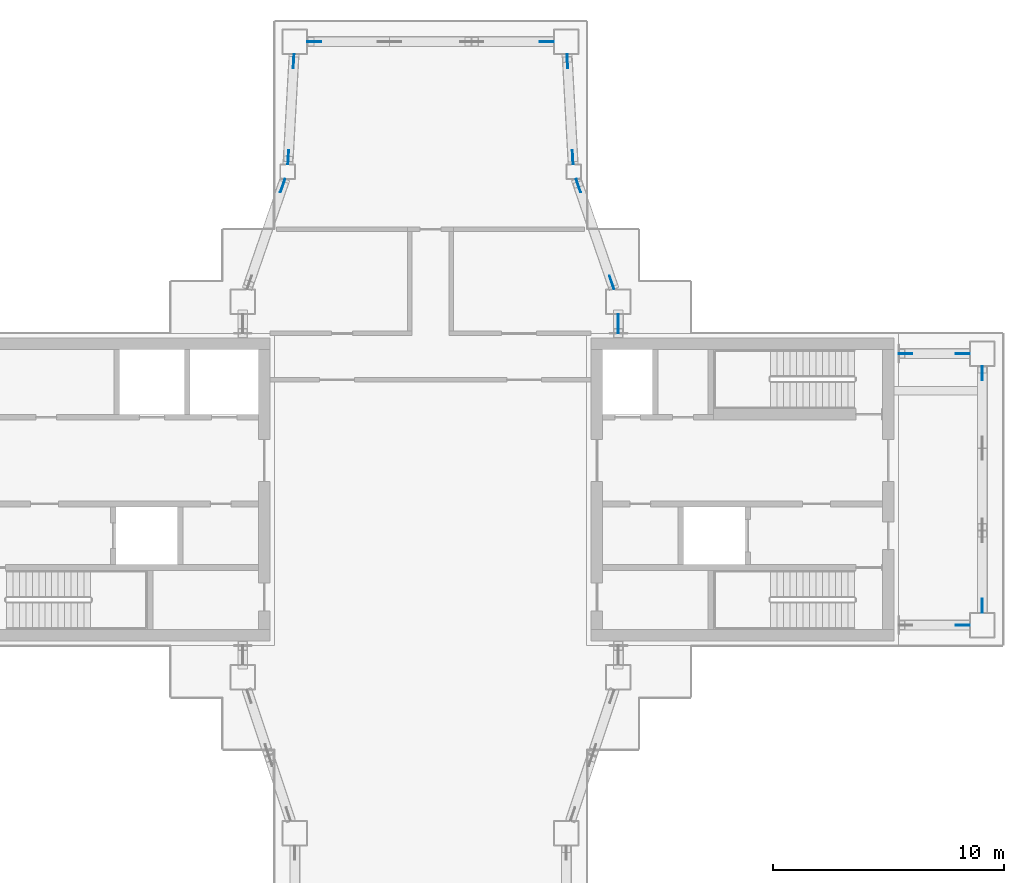
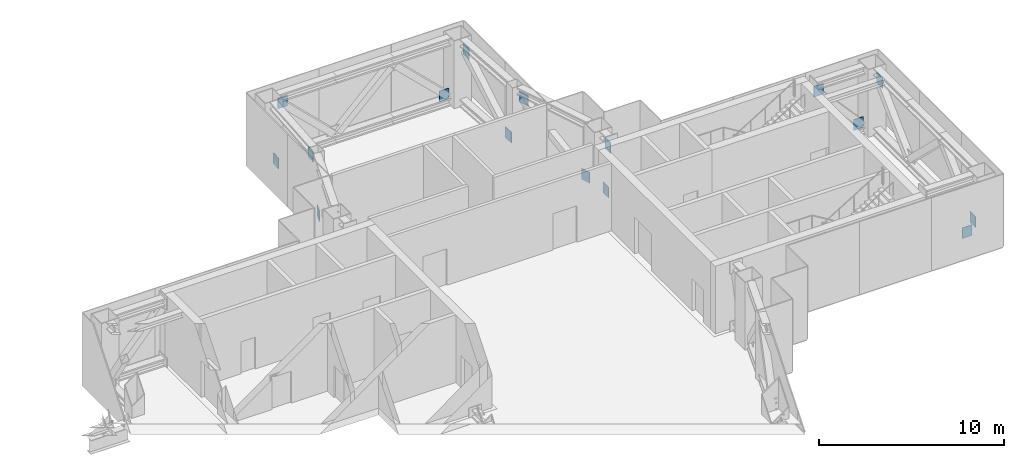
# One storey, part 19 of 21: 16 discrete accessories.
"""IFC4 building model written with IfcOpenShell, lengths in metres."""

import ifcopenshell
import ifcopenshell.guid

model = None  # the IFC model being written
_history = None  # IfcOwnerHistory: only IFC2X3 demands one
_inside = {}  # id of a spatial element -> (the spatial element, [elements in it])
_under = {}  # id of a project, library or spatial element -> (it, [spatial elements below it])
_declared = {}  # id of a project -> (the project, [libraries it declares])
_typed = {}  # id of a type object -> (the type object, [elements of that type])
_made_of = {}  # id of a material, layer set ... -> (it, [elements and type objects made of it])


def new_model(schema):
    """Start an empty IFC model of exactly this schema.

    Asked for "IFC4X3", IfcOpenShell would pick the latest addendum, in which some entities
    have other attributes; the version numbers below select the first issue.
    IFC2X3 requires an IfcOwnerHistory on every rooted entity: one is made here for all.
    """
    global model, _history
    if schema == "IFC4X3":
        model = ifcopenshell.file(schema_version=(4, 3, 0, 0))
    else:
        model = ifcopenshell.file(schema=schema)
    _inside.clear()
    _under.clear()
    _declared.clear()
    _typed.clear()
    _made_of.clear()
    _history = None
    if model.schema == "IFC2X3":
        org = make("IfcOrganization", Name="unknown")
        user = make(
            "IfcPersonAndOrganization",
            ThePerson=make("IfcPerson", FamilyName="unknown"),
            TheOrganization=org,
        )
        app = make(
            "IfcApplication",
            ApplicationDeveloper=org,
            Version="unknown",
            ApplicationFullName="unknown",
            ApplicationIdentifier="unknown",
        )
        _history = make(
            "IfcOwnerHistory",
            OwningUser=user,
            OwningApplication=app,
            ChangeAction="ADDED",
            CreationDate=0,
        )
    return model


def make(cls, **values):
    """One entity of the class cls with the attributes given. An attribute that is None is left unset."""
    return model.create_entity(
        cls, **{name: value for name, value in values.items() if value is not None}
    )


def rooted(cls, **values):
    """An entity with a GlobalId (a new one), such as an element, a storey or a relation."""
    return make(cls, GlobalId=ifcopenshell.guid.new(), OwnerHistory=_history, **values)


def si_unit(unit_type, name, prefix=None):
    """IfcSIUnit, for example si_unit("LENGTHUNIT", "METRE", prefix="MILLI")."""
    return make("IfcSIUnit", UnitType=unit_type, Prefix=prefix, Name=name)


def assignment(units):
    """IfcUnitAssignment: the units of a project."""
    return None if units is None else make("IfcUnitAssignment", Units=units)


def point(xyz):
    """IfcCartesianPoint."""
    return None if xyz is None else make("IfcCartesianPoint", Coordinates=xyz)


def direction(xyz):
    """IfcDirection."""
    return None if xyz is None else make("IfcDirection", DirectionRatios=xyz)


def frame(location, z_axis=None, x_axis=None):
    """IfcAxis2Placement3D, a coordinate frame: its origin and axes. An axis left out is left unset."""
    return make(
        "IfcAxis2Placement3D",
        Location=point(location),
        Axis=direction(z_axis),
        RefDirection=direction(x_axis),
    )


def frame_2d(location, x_axis=None):
    """IfcAxis2Placement2D, a coordinate frame in the plane: its origin and x axis."""
    return make(
        "IfcAxis2Placement2D", Location=point(location), RefDirection=direction(x_axis)
    )


def origin():
    """The frame at (0, 0, 0) with its axes left unset."""
    return frame((0.0, 0.0, 0.0))


def origin_2d():
    """The frame at (0, 0) in the plane with its x axis left unset."""
    return frame_2d((0.0, 0.0))


def place(relative_to, where):
    """IfcLocalPlacement: puts the frame where relative to a parent placement (None: the world)."""
    return make(
        "IfcLocalPlacement", PlacementRelTo=relative_to, RelativePlacement=where
    )


def context(
    kind, dimensions, precision=None, world=None, true_north=None, identifier=None
):
    """IfcGeometricRepresentationContext, for example the 3D "Model" context."""
    return make(
        "IfcGeometricRepresentationContext",
        ContextIdentifier=identifier,
        ContextType=kind,
        CoordinateSpaceDimension=dimensions,
        Precision=precision,
        WorldCoordinateSystem=world,
        TrueNorth=true_north,
    )


def subcontext(parent, identifier, kind, view, scale=None):
    """IfcGeometricRepresentationSubContext, for example "Body" below "Model"."""
    return make(
        "IfcGeometricRepresentationSubContext",
        ContextIdentifier=identifier,
        ContextType=kind,
        ParentContext=parent,
        TargetScale=scale,
        TargetView=view,
    )


def project(units=None, contexts=None):
    """IfcProject with its units and contexts."""
    return rooted(
        "IfcProject",
        Name="project",
        RepresentationContexts=contexts,
        UnitsInContext=assignment(units),
    )


def spatial(cls, under=None, at=None, **own):
    """A site, building, storey or space (cls), placed at a placement, below another one or the project."""
    s = rooted(cls, ObjectPlacement=at, **own)
    if under is not None:
        _under.setdefault(under.id(), (under, []))[1].append(s)
    return s


def profile(cls, at=None, kind="AREA", **sizes):
    """A parametric profile (cls). Its sizes go by their IFC names, for example OverallWidth=200.0."""
    return make(cls, ProfileType=kind, Position=at, **sizes)


def rectangle(**sizes):
    """IfcRectangleProfileDef."""
    return profile("IfcRectangleProfileDef", **sizes)


def extrude(swept, where, along, depth):
    """IfcExtrudedAreaSolid: the profile swept, set in the frame where, extruded along a direction by depth."""
    return make(
        "IfcExtrudedAreaSolid",
        SweptArea=swept,
        Position=where,
        ExtrudedDirection=direction(along),
        Depth=depth,
    )


def shape(context_of_items, identifier, shape_type, items):
    """IfcShapeRepresentation: the items that make up one representation, for example the "Body"."""
    return make(
        "IfcShapeRepresentation",
        ContextOfItems=context_of_items,
        RepresentationIdentifier=identifier,
        RepresentationType=shape_type,
        Items=items,
    )


def material(Name=None, Category=None):
    """IfcMaterial."""
    return make("IfcMaterial", Name=Name, Category=Category)


def layer(
    of_material, thickness, ventilated=None, Name=None, Category=None, Priority=None
):
    """IfcMaterialLayer: one layer of a wall or slab, of a material (None: an air gap)."""
    return make(
        "IfcMaterialLayer",
        Material=of_material,
        LayerThickness=thickness,
        IsVentilated=ventilated,
        Name=Name,
        Category=Category,
        Priority=Priority,
    )


def layer_set(layers, Name=None):
    """IfcMaterialLayerSet."""
    return make("IfcMaterialLayerSet", MaterialLayers=layers, LayerSetName=Name)


def made_of(thing, what):
    """Note that an element or type object is made of a material, layer set ...; save() writes the relation."""
    if what is not None:
        _made_of.setdefault(what.id(), (what, []))[1].append(thing)
    return thing


def type_object(cls, material=None, **own):
    """A type object (cls), such as IfcWallType, which elements share."""
    return made_of(rooted(cls, **own), material)


def element(
    cls,
    number,
    at=None,
    inside=None,
    cuts=None,
    type_object=None,
    material=None,
    context=None,
    identifier="Body",
    shape_type=None,
    held_by="IfcProductDefinitionShape",
    body=None,
    shapes=None,
    **own,
):
    """One element of the class cls, such as IfcWall. Its Tag is "e" and its number.

    at: its placement. inside: the storey or other place that contains it. cuts: it is an
    opening in that element (IfcRelVoidsElement). A single representation is given by context,
    identifier, shape_type and body (its items); several are given by shapes. held_by: the class
    of the entity that holds the representations. save() writes the other relations.
    """
    e = rooted(cls, Tag="e%d" % number, ObjectPlacement=at, **own)
    if body is not None:
        shapes = [shape(context, identifier, shape_type, body)]
    if shapes is not None:
        e.Representation = make(held_by, Representations=shapes)
    if inside is not None:
        _inside.setdefault(inside.id(), (inside, []))[1].append(e)
    if cuts is not None:
        rooted(
            "IfcRelVoidsElement", RelatingBuildingElement=cuts, RelatedOpeningElement=e
        )
    if type_object is not None:
        _typed.setdefault(type_object.id(), (type_object, []))[1].append(e)
    return made_of(e, material)


def aggregate(whole, parts):
    """IfcRelAggregates: a whole, such as a stair, and the parts it consists of."""
    return rooted("IfcRelAggregates", RelatingObject=whole, RelatedObjects=parts)


def save(model, path):
    """Write the relations noted so far, then the file.

    IfcRelAggregates (storeys below a building ...), IfcRelContainedInSpatialStructure (elements
    in a storey), IfcRelDefinesByType, IfcRelAssociatesMaterial and IfcRelDeclares: one each for
    every whole, place, type object, material and project.
    """
    for whole, parts in _under.values():
        aggregate(whole, parts)
    for where, things in _inside.values():
        rooted(
            "IfcRelContainedInSpatialStructure",
            RelatedElements=things,
            RelatingStructure=where,
        )
    for kind, things in _typed.values():
        rooted("IfcRelDefinesByType", RelatedObjects=things, RelatingType=kind)
    for what, things in _made_of.values():
        rooted("IfcRelAssociatesMaterial", RelatedObjects=things, RelatingMaterial=what)
    for by, libraries in _declared.values():
        rooted("IfcRelDeclares", RelatingContext=by, RelatedDefinitions=libraries)
    model.write(path)


model = new_model("IFC4")

# Units and contexts
model_context = context("Model", 3, precision=1e-05, world=origin(), true_north=direction((0.0, 1.0)))
body_context = subcontext(model_context, "Body", "Model", "MODEL_VIEW")
ifc_project = project(units=[si_unit("LENGTHUNIT", "METRE"), si_unit("AREAUNIT", "SQUARE_METRE"), si_unit("VOLUMEUNIT", "CUBIC_METRE"), si_unit("PLANEANGLEUNIT", "RADIAN"), si_unit("MASSUNIT", "GRAM", prefix="KILO")], contexts=[model_context])

# Site, building, storey
site_placement = place(None, origin())
site = spatial("IfcSite", under=ifc_project, at=site_placement, CompositionType="ELEMENT")
building_placement = place(site_placement, origin())
building = spatial("IfcBuilding", under=site, at=building_placement, Name="Shamsa Quay Exchange Towers", CompositionType="ELEMENT")
storey_placement = place(building_placement, frame((0.0, 0.0, 177.89990234375)))
storey = spatial("IfcBuildingStorey", under=building, at=storey_placement, Name="L42", CompositionType="ELEMENT", Elevation=177.89990234375)

# Discrete accessories
ifc_material = material(Name="Steel S355", Category="steel")
ifc_layer = layer(ifc_material, 0.0400390625)
ifc_layer_set = layer_set([ifc_layer], Name="End plate 600x700x40")
discrete_accessory_type = type_object("IfcDiscreteAccessoryType", Name="End plate 600x700x40", PredefinedType="BRACKET", material=ifc_layer_set)
for number, where, z_axis, x_axis, name in (
    (1, (56.77490234375, -5.875, 0.34814453125), (0.0, 0.0, 1.0), (-1.0, 0.0, 0.0), "End plate T2 L42"),
    (2, (57.625, -5.02490234375, 0.34814453125), (0.0, 0.0, 1.0), (0.0, 1.0, 0.0), "End plate T2 L42"),
    (3, (57.625, 5.02490234375, 3.40234375), (0.0, 0.0, 1.0), (0.0, 1.0, 0.0), "End plate T2 L42"),
    (4, (56.77490234375, 5.875, 0.34814453125), (0.0, 0.0, 1.0), (-1.0, 0.0, 0.0), "End plate T2 L42"),
    (5, (54.300048828125, 5.875, 3.40234375), (0.0, 0.0, 1.0), (-1.0, 0.0, 0.0), "End plate T2 L42"),
    (6, (41.875, 7.27490234375, 0.34814453125), (0.0, 0.0, 1.0), (0.0, -1.0, 0.0), "End plate T2 L42"),
    (7, (41.875, 7.050048828125, 3.40234375), (0.0, 0.0, 1.0), (0.0, -1.0, 0.0), "End plate T2 L42"),
    (8, (41.587890625, 8.958740234375, 0.34814453125), (0.0, 0.0, 1.0), (-0.325666906351, 0.945484566827, 0.0), "End plate T2 L42"),
    (9, (40.147216796875, 13.141357421875, 3.40234375), (0.0, 0.0, 1.0), (-0.325666906351, 0.945484566827, 0.0), "End plate T2 L42"),
    (10, (39.90283203125, 14.37451171875, 0.34814453125), (0.0, 0.0, 1.0), (-0.055470019625, 0.998460353205, 0.0), "End plate T2 L42"),
    (11, (39.672119140625, 18.525390625, 3.40234375), (0.0, 0.0, 1.0), (-0.055470019625, 0.998460353205, 0.0), "End plate T2 L42"),
    (12, (38.77490234375, 19.375, 0.34814453125), (0.0, 0.0, 1.0), (-1.0, 0.0, 0.0), "End plate T2 L42"),
    (13, (28.72509765625, 19.375, 3.40234375), (0.0, 0.0, 1.0), (-1.0, 0.0, 0.0), "End plate T2 L42"),
    (14, (27.827880859375, 18.525390625, 0.34814453125), (0.0, 0.0, 1.0), (-0.055470019625, -0.998460353205, 0.0), "End plate T2 L42"),
    (15, (27.59716796875, 14.37451171875, 3.40234375), (0.0, 0.0, 1.0), (-0.055470019625, -0.998460353205, 0.0), "End plate T2 L42"),
    (16, (27.352783203125, 13.141357421875, 0.34814453125), (0.0, 0.0, 1.0), (-0.325666906351, -0.945484566827, 0.0), "End plate T2 L42"),
):
    element("IfcDiscreteAccessory", number, at=place(storey_placement, frame(where, z_axis=z_axis, x_axis=x_axis)), inside=storey, type_object=discrete_accessory_type, Name=name, PredefinedType="BRACKET", context=body_context, shape_type="SweptSolid", body=[
        extrude(rectangle(XDim=0.60009765625, YDim=0.0400390625, at=origin_2d()), origin(), (0.0, 0.0, 1.0), 0.699951171875),
    ])

save(model, "model.ifc")
